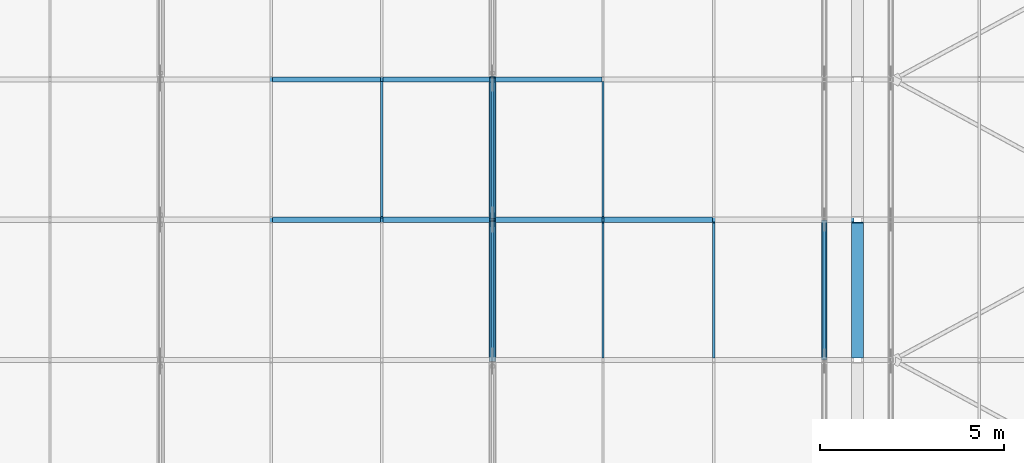
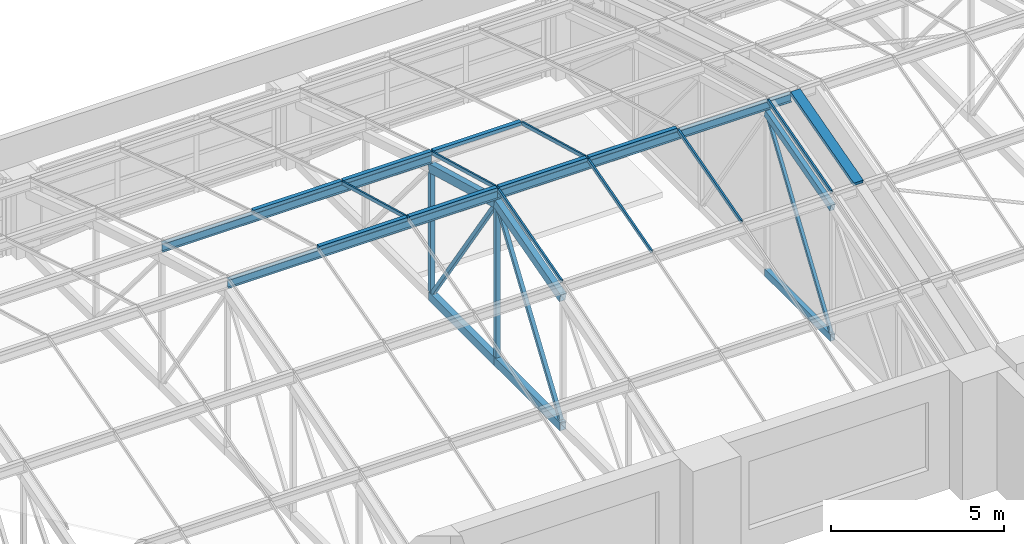
# One storey, part 23 of 82: 29 members, 1 element without a shape of its own.
"""IFC4 building model written with IfcOpenShell, lengths in metres."""

from ifc_helpers import new_model, si_unit, direction, frame, origin, origin_2d, place, context, subcontext, project, spatial, rectangle, hollow_rectangle, i_section, extrude, material, material_profile, profile_set, type_object, element, aggregate, save


model = new_model("IFC4")

# Units and contexts
model_context = context("Model", 3, precision=1e-05, world=origin(), true_north=direction((0.0, 1.0)))
body_context = subcontext(model_context, "Body", "Model", "MODEL_VIEW")
ifc_project = project(units=[si_unit("LENGTHUNIT", "METRE"), si_unit("AREAUNIT", "SQUARE_METRE"), si_unit("VOLUMEUNIT", "CUBIC_METRE"), si_unit("PLANEANGLEUNIT", "RADIAN"), si_unit("MASSUNIT", "GRAM", prefix="KILO")], contexts=[model_context])

# Site, building, storey
site_placement = place(None, origin())
site = spatial("IfcSite", under=ifc_project, at=site_placement, CompositionType="ELEMENT")
building_placement = place(site_placement, origin())
building = spatial("IfcBuilding", under=site, at=building_placement, Name="Aravalli Gate Trade Fair Centre", CompositionType="ELEMENT")
storey_placement = place(building_placement, frame((0.0, 0.0, 19.199951171875)))
storey = spatial("IfcBuildingStorey", under=building, at=storey_placement, Name="L04", CompositionType="ELEMENT", Elevation=19.199951171875)

# Members
ifc_material_1 = material(Name="Steel E350", Category="steel")
ifc_material_profile_1 = material_profile(ifc_material_1, i_section(OverallWidth=0.139892578125, OverallDepth=0.300048828125, WebThickness=0.0078125, FlangeThickness=0.01318359375, at=origin_2d()), Name="ISMB 300")
ifc_profile_set_1 = profile_set([ifc_material_profile_1], Name="Steel E350")
member_type_1 = type_object("IfcMemberType", Name="ISMB 300 roof purlin", PredefinedType="PURLIN", material=ifc_profile_set_1)
for number, where, z_axis, x_axis, name in (
    (1, (87.0, 121.10009765625, 6.030029296875), (1.0, 0.0, 0.0), (0.0, 1.0, 0.0), "Vault purlin 10-11 F3"),
    (2, (87.0, 124.89990234375, 4.999267578125), (1.0, 0.0, 0.0), (0.0, 1.0, 0.0), "Vault purlin 10-11 F4"),
):
    element("IfcMember", number, at=place(storey_placement, frame(where, z_axis=z_axis, x_axis=x_axis)), inside=storey, type_object=member_type_1, Name=name, PredefinedType="PURLIN", context=body_context, shape_type="SweptSolid", body=[
        extrude(i_section(OverallWidth=0.139892578125, OverallDepth=0.300048828125, WebThickness=0.0078125, FlangeThickness=0.01318359375, at=origin_2d()), origin(), (0.0, 0.0, 1.0), 9.0),
    ])
member_1_placement = place(storey_placement, frame((96.0, 121.10009765625, 6.030029296875), z_axis=(1.0, 0.0, 0.0), x_axis=(0.0, 1.0, 0.0)))
element("IfcMember", 3, at=member_1_placement, inside=storey, type_object=member_type_1, Name="Vault purlin 11-12 F3", PredefinedType="PURLIN", context=body_context, shape_type="SweptSolid", body=[
    extrude(i_section(OverallWidth=0.139892578125, OverallDepth=0.300048828125, WebThickness=0.0078125, FlangeThickness=0.01318359375, at=origin_2d()), origin(), (0.0, 0.0, 1.0), 9.800048828125),
])
ifc_material_profile_2 = material_profile(ifc_material_1, hollow_rectangle(XDim=0.14990234375, YDim=0.25, WallThickness=0.010009765625, at=origin_2d()), Name="RHS 250x150x10")
ifc_profile_set_2 = profile_set([ifc_material_profile_2], Name="Steel E350")
member_type_2 = type_object("IfcMemberType", Name="RHS 250x150x10 CT2 truss chord", PredefinedType="CHORD", material=ifc_profile_set_2)
member_2_placement = place(storey_placement, frame((105.0, 117.300048828125, 4.700439453125), z_axis=(0.0, 0.963894016224, 0.266286172166), x_axis=(-1.0, 0.0, 0.0)))
element("IfcMember", 4, at=member_2_placement, inside=storey, type_object=member_type_2, Name="Concourse vault truss CT2 line 12 top chord T3", PredefinedType="CHORD", context=body_context, shape_type="SweptSolid", body=[
    extrude(hollow_rectangle(XDim=0.14990234375, YDim=0.25, WallThickness=0.010009765625, at=origin_2d()), origin(), (0.0, 0.0, 1.0), 3.9423828125),
])
member_3_placement = place(storey_placement, frame((105.0, 117.300048828125, 0.125), z_axis=(0.0, 1.0, 0.0), x_axis=(-1.0, 0.0, 0.0)))
element("IfcMember", 5, at=member_3_placement, inside=storey, type_object=member_type_2, Name="Concourse vault truss CT2 line 12 bottom chord B3", PredefinedType="CHORD", context=body_context, shape_type="SweptSolid", body=[
    extrude(hollow_rectangle(XDim=0.14990234375, YDim=0.25, WallThickness=0.010009765625, at=origin_2d()), origin(), (0.0, 0.0, 1.0), 3.800048828125),
])
ifc_material_profile_3 = material_profile(ifc_material_1, hollow_rectangle(XDim=0.199951171875, YDim=0.300048828125, WallThickness=0.011962890625, at=origin_2d()), Name="RHS 300x200x12")
ifc_profile_set_3 = profile_set([ifc_material_profile_3], Name="Steel E350")
member_type_3 = type_object("IfcMemberType", Name="RHS 300x200x12 CT1 truss chord", PredefinedType="CHORD", material=ifc_profile_set_3)
member_4_placement = place(storey_placement, frame((96.0, 117.300048828125, 4.674560546875), z_axis=(0.0, 0.963894016224, 0.266286172166), x_axis=(-1.0, 0.0, 0.0)))
element("IfcMember", 6, at=member_4_placement, inside=storey, type_object=member_type_3, Name="Concourse vault truss CT1 line 11 top chord T3", PredefinedType="CHORD", context=body_context, shape_type="SweptSolid", body=[
    extrude(hollow_rectangle(XDim=0.199951171875, YDim=0.300048828125, WallThickness=0.011962890625, at=origin_2d()), origin(), (0.0, 0.0, 1.0), 3.9423828125),
])
member_5_placement = place(storey_placement, frame((96.0, 117.300048828125, 0.150146484375), z_axis=(0.0, 1.0, 0.0), x_axis=(-1.0, 0.0, 0.0)))
element("IfcMember", 7, at=member_5_placement, inside=storey, type_object=member_type_3, Name="Concourse vault truss CT1 line 11 bottom chord B3", PredefinedType="CHORD", context=body_context, shape_type="SweptSolid", body=[
    extrude(hollow_rectangle(XDim=0.199951171875, YDim=0.300048828125, WallThickness=0.011962890625, at=origin_2d()), origin(), (0.0, 0.0, 1.0), 3.800048828125),
])
member_6_placement = place(storey_placement, frame((96.0, 121.10009765625, 5.724365234375), z_axis=(0.0, 0.96388962469, -0.266302067988), x_axis=(-1.0, 0.0, 0.0)))
element("IfcMember", 8, at=member_6_placement, inside=storey, type_object=member_type_3, Name="Concourse vault truss CT1 line 11 top chord T4", PredefinedType="CHORD", context=body_context, shape_type="SweptSolid", body=[
    extrude(hollow_rectangle(XDim=0.199951171875, YDim=0.300048828125, WallThickness=0.011962890625, at=origin_2d()), origin(), (0.0, 0.0, 1.0), 3.942138671875),
])
member_7_placement = place(storey_placement, frame((96.0, 121.10009765625, 0.150146484375), z_axis=(0.0, 1.0, 0.0), x_axis=(-1.0, 0.0, 0.0)))
element("IfcMember", 9, at=member_7_placement, inside=storey, type_object=member_type_3, Name="Concourse vault truss CT1 line 11 bottom chord B4", PredefinedType="CHORD", context=body_context, shape_type="SweptSolid", body=[
    extrude(hollow_rectangle(XDim=0.199951171875, YDim=0.300048828125, WallThickness=0.011962890625, at=origin_2d()), origin(), (0.0, 0.0, 1.0), 3.7998046875),
])
ifc_material_profile_4 = material_profile(ifc_material_1, hollow_rectangle(XDim=0.10009765625, YDim=0.10009765625, WallThickness=0.006103515625, at=origin_2d()), Name="SHS 100x100x6")
ifc_profile_set_4 = profile_set([ifc_material_profile_4], Name="Steel E350")
member_type_4 = type_object("IfcMemberType", Name="SHS 100x100x6 CT2 truss diagonal", PredefinedType="BRACE", material=ifc_profile_set_4)
member_8_placement = place(storey_placement, frame((105.0, 117.384521484375, 0.25), z_axis=(0.0, 0.559733700846, 0.828672543371), x_axis=(-1.0, 0.0, 0.0)))
element("IfcMember", 10, at=member_8_placement, inside=storey, type_object=member_type_4, Name="Concourse vault truss CT2 line 12 diagonal D3", PredefinedType="BRACE", context=body_context, shape_type="SweptSolid", body=[
    extrude(hollow_rectangle(XDim=0.10009765625, YDim=0.10009765625, WallThickness=0.006103515625, at=origin_2d()), origin(), (0.0, 0.0, 1.0), 6.4453125),
])
ifc_material_profile_5 = material_profile(ifc_material_1, hollow_rectangle(XDim=0.125, YDim=0.125, WallThickness=0.006103515625, at=origin_2d()), Name="SHS 125x125x6")
ifc_profile_set_5 = profile_set([ifc_material_profile_5], Name="Steel E350")
member_type_5 = type_object("IfcMemberType", Name="SHS 125x125x6 CT1 truss diagonal", PredefinedType="BRACE", material=ifc_profile_set_5)
for number, where, z_axis, x_axis, name in (
    (11, (96.0, 117.40234375, 0.300048828125), (0.0, 0.5632471019, 0.826288510268), (-1.0, 0.0, 0.0), "Concourse vault truss CT1 line 11 diagonal D3"),
    (12, (96.0, 121.230712890625, 5.53271484375), (0.0, 0.5632471019, -0.826288510268), (-1.0, 0.0, 0.0), "Concourse vault truss CT1 line 11 diagonal D4"),
):
    element("IfcMember", number, at=place(storey_placement, frame(where, z_axis=z_axis, x_axis=x_axis)), inside=storey, type_object=member_type_5, Name=name, PredefinedType="BRACE", context=body_context, shape_type="SweptSolid", body=[
        extrude(hollow_rectangle(XDim=0.125, YDim=0.125, WallThickness=0.006103515625, at=origin_2d()), origin(), (0.0, 0.0, 1.0), 6.332763671875),
    ])
ifc_material_profile_6 = material_profile(ifc_material_1, hollow_rectangle(XDim=0.14990234375, YDim=0.14990234375, WallThickness=0.006103515625, at=origin_2d()), Name="SHS 150x150x6")
ifc_profile_set_6 = profile_set([ifc_material_profile_6], Name="Steel E350")
member_type_6 = type_object("IfcMemberType", Name="SHS 150x150x6 CT1 truss post", PredefinedType="POST", material=ifc_profile_set_6)
member_9_placement = place(storey_placement, frame((96.0, 121.10009765625, 0.300048828125), z_axis=(0.0, 0.0, 1.0), x_axis=(1.0, 0.0, 0.0)))
element("IfcMember", 13, at=member_9_placement, inside=storey, type_object=member_type_6, Name="Concourse vault truss CT1 line 11 post V3", PredefinedType="POST", context=body_context, shape_type="SweptSolid", body=[
    extrude(hollow_rectangle(XDim=0.14990234375, YDim=0.14990234375, WallThickness=0.006103515625, at=origin_2d()), origin(), (0.0, 0.0, 1.0), 5.268798828125),
])
member_10_placement = place(storey_placement, frame((96.0, 124.89990234375, 0.300048828125), z_axis=(0.0, 0.0, 1.0), x_axis=(1.0, 0.0, 0.0)))
element("IfcMember", 14, at=member_10_placement, inside=storey, type_object=member_type_6, Name="Concourse vault truss CT1 line 11 post V4", PredefinedType="POST", context=body_context, shape_type="SweptSolid", body=[
    extrude(hollow_rectangle(XDim=0.14990234375, YDim=0.14990234375, WallThickness=0.006103515625, at=origin_2d()), origin(), (0.0, 0.0, 1.0), 4.216552734375),
])
ifc_material_2 = material(Name="Aluminium", Category="aluminium")
ifc_material_profile_7 = material_profile(ifc_material_2, rectangle(XDim=0.139892578125, YDim=0.1201171875, at=origin_2d()), Name="Vault fold cap 140 x 120")
ifc_profile_set_7 = profile_set([ifc_material_profile_7], Name="Aluminium")
member_type_7 = type_object("IfcMemberType", Name="Vault fold cap 140 x 120", PredefinedType="USERDEFINED", material=ifc_profile_set_7)
for number, where, z_axis, x_axis, name in (
    (15, (90.030029296875, 121.10009765625, 6.239990234375), (1.0, 0.0, 0.0), (0.0, 1.0, 0.0), "Vault fold cap w26.3"),
    (16, (90.030029296875, 124.89990234375, 5.209228515625), (1.0, 0.0, 0.0), (0.0, 1.0, 0.0), "Vault fold cap w26.4"),
    (17, (93.030029296875, 121.10009765625, 6.239990234375), (1.0, 0.0, 0.0), (0.0, 1.0, 0.0), "Vault fold cap w27.3"),
    (18, (93.030029296875, 124.89990234375, 5.209228515625), (1.0, 0.0, 0.0), (0.0, 1.0, 0.0), "Vault fold cap w27.4"),
    (19, (96.030029296875, 121.10009765625, 6.239990234375), (1.0, 0.0, 0.0), (0.0, 1.0, 0.0), "Vault fold cap w28.3"),
    (20, (96.030029296875, 124.89990234375, 5.209228515625), (1.0, 0.0, 0.0), (0.0, 1.0, 0.0), "Vault fold cap w28.4"),
    (21, (99.030029296875, 121.10009765625, 6.239990234375), (1.0, 0.0, 0.0), (0.0, 1.0, 0.0), "Vault fold cap w29.3"),
):
    element("IfcMember", number, at=place(storey_placement, frame(where, z_axis=z_axis, x_axis=x_axis)), inside=storey, type_object=member_type_7, Name=name, ObjectType="FOLD CAP", PredefinedType="USERDEFINED", context=body_context, shape_type="SweptSolid", body=[
        extrude(rectangle(XDim=0.139892578125, YDim=0.1201171875, at=origin_2d()), origin(), (0.0, 0.0, 1.0), 2.93994140625),
    ])

# Curtain wall, members
ifc_material_3 = material(Name="Aluminium and glass", Category="aluminium")
curtain_wall_type = type_object("IfcCurtainWallType", Name="Vault curtain wall, sloped glazing", PredefinedType="NOTDEFINED", material=ifc_material_3)
curtain_wall_placement = place(storey_placement, origin())
curtain_wall = element("IfcCurtainWall", 22, at=curtain_wall_placement, inside=storey, type_object=curtain_wall_type, Name="Vault curtain wall w", PredefinedType="NOTDEFINED")
ifc_material_profile_8 = material_profile(ifc_material_2, rectangle(XDim=0.06005859375, YDim=0.1201171875, at=origin_2d()), Name="Vault glazing bar 60 x 120")
ifc_profile_set_8 = profile_set([ifc_material_profile_8], Name="Aluminium")
member_type_8 = type_object("IfcMemberType", Name="Vault glazing bar 60 x 120", PredefinedType="USERDEFINED", material=ifc_profile_set_8)
member_11_placement = place(storey_placement, frame((93.0, 121.169921875, 6.218505859375), z_axis=(0.0, 0.963872602318, -0.266363673386), x_axis=(-1.0, 0.0, 0.0)))
member_11 = element("IfcMember", 23, at=member_11_placement, type_object=member_type_8, Name="Vault glazing bar w27.4", ObjectType="GLAZING BAR", PredefinedType="USERDEFINED", context=body_context, shape_type="SweptSolid", body=[
    extrude(rectangle(XDim=0.06005859375, YDim=0.1201171875, at=origin_2d()), origin(), (0.0, 0.0, 1.0), 3.79736328125),
])
member_12_placement = place(storey_placement, frame((96.0, 117.3701171875, 5.20703125), z_axis=(0.0, 0.96386804037, 0.266380180859), x_axis=(-1.0, 0.0, 0.0)))
member_12 = element("IfcMember", 24, at=member_12_placement, type_object=member_type_8, Name="Vault glazing bar w28.3", ObjectType="GLAZING BAR", PredefinedType="USERDEFINED", context=body_context, shape_type="SweptSolid", body=[
    extrude(rectangle(XDim=0.06005859375, YDim=0.1201171875, at=origin_2d()), origin(), (0.0, 0.0, 1.0), 3.797119140625),
])
member_13_placement = place(storey_placement, frame((96.0, 121.169921875, 6.218505859375), z_axis=(0.0, 0.963872602318, -0.266363673386), x_axis=(-1.0, 0.0, 0.0)))
member_13 = element("IfcMember", 25, at=member_13_placement, type_object=member_type_8, Name="Vault glazing bar w28.4", ObjectType="GLAZING BAR", PredefinedType="USERDEFINED", context=body_context, shape_type="SweptSolid", body=[
    extrude(rectangle(XDim=0.06005859375, YDim=0.1201171875, at=origin_2d()), origin(), (0.0, 0.0, 1.0), 3.79736328125),
])
member_14_placement = place(storey_placement, frame((99.0, 117.3701171875, 5.20703125), z_axis=(0.0, 0.96386804037, 0.266380180859), x_axis=(-1.0, 0.0, 0.0)))
member_14 = element("IfcMember", 26, at=member_14_placement, type_object=member_type_8, Name="Vault glazing bar w29.3", ObjectType="GLAZING BAR", PredefinedType="USERDEFINED", context=body_context, shape_type="SweptSolid", body=[
    extrude(rectangle(XDim=0.06005859375, YDim=0.1201171875, at=origin_2d()), origin(), (0.0, 0.0, 1.0), 3.797119140625),
])
member_15_placement = place(storey_placement, frame((99.0, 121.169921875, 6.218505859375), z_axis=(0.0, 0.963872602318, -0.266363673386), x_axis=(-1.0, 0.0, 0.0)))
member_15 = element("IfcMember", 27, at=member_15_placement, type_object=member_type_8, Name="Vault glazing bar w29.4", ObjectType="GLAZING BAR", PredefinedType="USERDEFINED", context=body_context, shape_type="SweptSolid", body=[
    extrude(rectangle(XDim=0.06005859375, YDim=0.1201171875, at=origin_2d()), origin(), (0.0, 0.0, 1.0), 3.79736328125),
])
member_16_placement = place(storey_placement, frame((102.0, 117.3701171875, 5.20703125), z_axis=(0.0, 0.96386804037, 0.266380180859), x_axis=(-1.0, 0.0, 0.0)))
member_16 = element("IfcMember", 28, at=member_16_placement, type_object=member_type_8, Name="Vault glazing bar w30.3", ObjectType="GLAZING BAR", PredefinedType="USERDEFINED", context=body_context, shape_type="SweptSolid", body=[
    extrude(rectangle(XDim=0.06005859375, YDim=0.1201171875, at=origin_2d()), origin(), (0.0, 0.0, 1.0), 3.797119140625),
])
member_17_placement = place(storey_placement, frame((105.0, 117.3701171875, 5.20703125), z_axis=(0.0, 0.96386804037, 0.266380180859), x_axis=(-1.0, 0.0, 0.0)))
member_17 = element("IfcMember", 29, at=member_17_placement, type_object=member_type_8, Name="Vault glazing bar w31.3", ObjectType="GLAZING BAR", PredefinedType="USERDEFINED", context=body_context, shape_type="SweptSolid", body=[
    extrude(rectangle(XDim=0.06005859375, YDim=0.1201171875, at=origin_2d()), origin(), (0.0, 0.0, 1.0), 3.797119140625),
])
ifc_material_profile_9 = material_profile(ifc_material_2, rectangle(XDim=0.320068359375, YDim=0.1201171875, at=origin_2d()), Name="Vault joint cover bar 320 x 120")
ifc_profile_set_9 = profile_set([ifc_material_profile_9], Name="Aluminium")
member_type_9 = type_object("IfcMemberType", Name="Vault joint cover bar 320 x 120", PredefinedType="USERDEFINED", material=ifc_profile_set_9)
member_18_placement = place(storey_placement, frame((105.89990234375, 117.3701171875, 5.20703125), z_axis=(0.0, 0.96386804037, 0.266380180859), x_axis=(-1.0, 0.0, 0.0)))
member_18 = element("IfcMember", 30, at=member_18_placement, type_object=member_type_9, Name="Vault joint cover bar J2.3", ObjectType="GLAZING BAR", PredefinedType="USERDEFINED", context=body_context, shape_type="SweptSolid", body=[
    extrude(rectangle(XDim=0.320068359375, YDim=0.1201171875, at=origin_2d()), origin(), (0.0, 0.0, 1.0), 3.797119140625),
])
aggregate(curtain_wall, [member_11, member_12, member_13, member_14, member_15, member_16, member_17, member_18])

save(model, "model.ifc")
